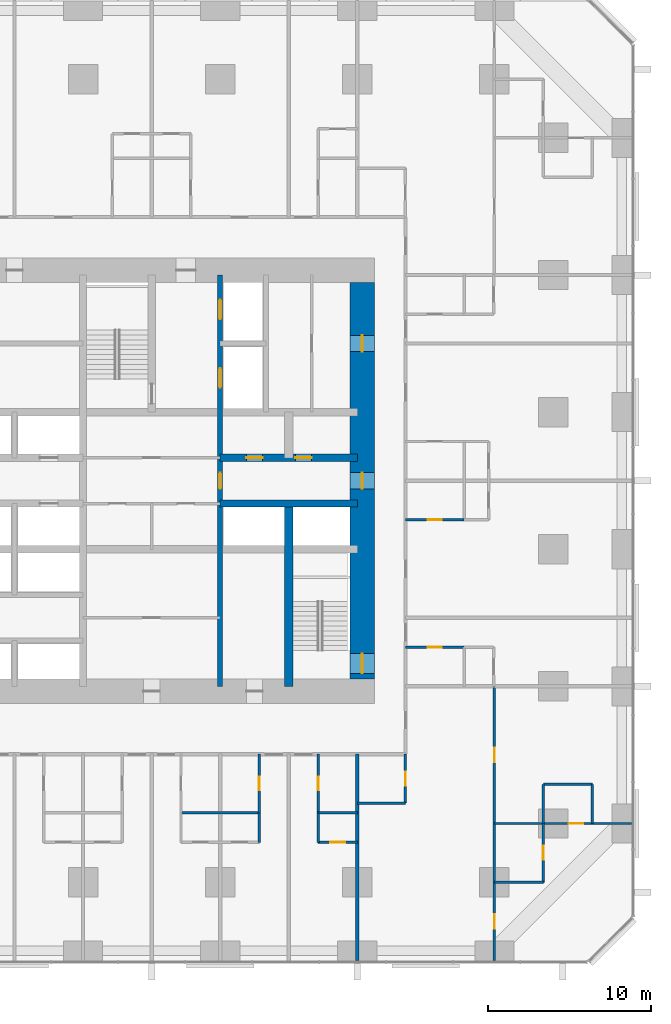
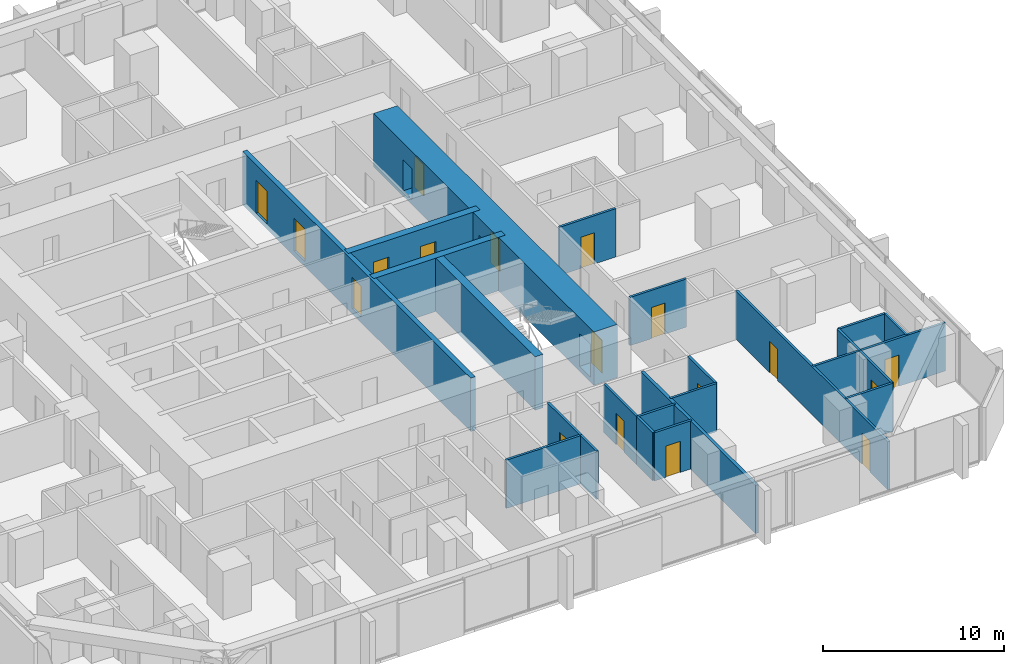
# One storey, part 13 of 17: 24 walls, 18 doors, 18 openings.
"""IFC4 building model written with IfcOpenShell, lengths in metres."""

from ifc_helpers import new_model, si_unit, direction, frame, frame_2d, origin, place, context, subcontext, project, spatial, rectangle, extrude, material, layer, layer_set, type_object, element, fill, save


model = new_model("IFC4")

# Units and contexts
model_context = context("Model", 3, precision=1e-05, world=origin(), true_north=direction((0.0, 1.0)))
body_context = subcontext(model_context, "Body", "Model", "MODEL_VIEW")
ifc_project = project(units=[si_unit("LENGTHUNIT", "METRE"), si_unit("AREAUNIT", "SQUARE_METRE"), si_unit("VOLUMEUNIT", "CUBIC_METRE"), si_unit("PLANEANGLEUNIT", "RADIAN"), si_unit("MASSUNIT", "GRAM", prefix="KILO")], contexts=[model_context])

# Site, building, storey
site_placement = place(None, origin())
site = spatial("IfcSite", under=ifc_project, at=site_placement, CompositionType="ELEMENT")
building_placement = place(site_placement, origin())
building = spatial("IfcBuilding", under=site, at=building_placement, Name="Dunama Terrace Hotel", CompositionType="ELEMENT")
storey_placement = place(building_placement, frame((0.0, 0.0, 77.39990234375)))
storey = spatial("IfcBuildingStorey", under=building, at=storey_placement, Name="L19", CompositionType="ELEMENT", Elevation=77.39990234375)

# Wall, opening, door
ifc_material_1 = material(Name="Gypsum board partition", Category="masonry")
ifc_layer_1 = layer(ifc_material_1, 0.14990234375)
ifc_layer_set_1 = layer_set([ifc_layer_1], Name="Bathroom partition 150")
wall_type_1 = type_object("IfcWallType", Name="Bathroom partition 150", PredefinedType="PARTITIONING", material=ifc_layer_set_1)
wall_1_placement = place(storey_placement, frame((36.0, 9.050048828125, 0.0), z_axis=(0.0, 0.0, 1.0), x_axis=(0.0, 1.0, 0.0)))
wall_1 = element("IfcWall", 1, at=wall_1_placement, inside=storey, type_object=wall_type_1, Name="Bathroom partition 150 L19", PredefinedType="PARTITIONING", context=body_context, shape_type="SweptSolid", body=[
    extrude(rectangle(XDim=3.599853515625, YDim=0.14990234375, at=frame_2d((1.7998046875, 0.0))), origin(), (0.0, 0.0, 1.0), 3.25),
])
opening_1_placement = place(wall_1_placement, frame((1.375, 0.0, 0.0)))
opening_1 = element("IfcOpeningElement", 2, at=opening_1_placement, cuts=wall_1, Name="Opening L17-19-022", PredefinedType="OPENING", context=body_context, shape_type="SweptSolid", body=[
    extrude(rectangle(XDim=0.85009765625, YDim=2.10009765625, at=frame_2d((0.425048828125, 1.050048828125))), frame((0.0, 0.0849609375, 0.0), z_axis=(0.0, -1.0, 0.0), x_axis=(1.0, 0.0, 0.0)), (0.0, 0.0, 1.0), 0.169921875),
])
ifc_material_2 = material(Name="Timber door with steel frame", Category="steel")
door_type_1 = type_object("IfcDoorType", Name="Bathroom door 850", OperationType="SINGLE_SWING_LEFT", PredefinedType="DOOR", material=ifc_material_2)
door_1_placement = place(opening_1_placement, origin())
door_1 = element("IfcDoor", 3, at=door_1_placement, inside=storey, type_object=door_type_1, Name="Door to en-suite bathroom L17-19-022, type D2", OperationType="SINGLE_SWING_RIGHT", OverallHeight=2.10009765625, OverallWidth=0.85009765625, PredefinedType="DOOR", context=body_context, shape_type="SweptSolid", body=[
    extrude(rectangle(XDim=0.85009765625, YDim=2.10009765625, at=frame_2d((0.425048828125, 1.050048828125))), frame((0.0, 0.02490234375, 0.0), z_axis=(0.0, -1.0, 0.0), x_axis=(1.0, 0.0, 0.0)), (0.0, 0.0, 1.0), 0.050048828125),
])
fill(opening_1, door_1)

wall_2_placement = place(storey_placement, frame((39.60009765625, 9.050048828125, 0.0), z_axis=(0.0, 0.0, 1.0), x_axis=(0.0, 1.0, 0.0)))
wall_2 = element("IfcWall", 4, at=wall_2_placement, inside=storey, type_object=wall_type_1, Name="Bathroom partition 150 L19", PredefinedType="PARTITIONING", context=body_context, shape_type="SweptSolid", body=[
    extrude(rectangle(XDim=3.599853515625, YDim=0.14990234375, at=frame_2d((1.7998046875, 0.0))), origin(), (0.0, 0.0, 1.0), 3.25),
])
opening_2_placement = place(wall_2_placement, frame((1.375, 0.0, 0.0)))
opening_2 = element("IfcOpeningElement", 5, at=opening_2_placement, cuts=wall_2, Name="Opening L17-19-025", PredefinedType="OPENING", context=body_context, shape_type="SweptSolid", body=[
    extrude(rectangle(XDim=0.85009765625, YDim=2.10009765625, at=frame_2d((0.425048828125, 1.050048828125))), frame((0.0, 0.0849609375, 0.0), z_axis=(0.0, -1.0, 0.0), x_axis=(1.0, 0.0, 0.0)), (0.0, 0.0, 1.0), 0.169921875),
])
door_2_placement = place(opening_2_placement, frame((0.85009765625, 0.0, 0.0), z_axis=(0.0, 0.0, 1.0), x_axis=(-1.0, 0.0, 0.0)))
door_2 = element("IfcDoor", 6, at=door_2_placement, inside=storey, type_object=door_type_1, Name="Door to en-suite bathroom L17-19-025, type D2", OperationType="SINGLE_SWING_LEFT", OverallHeight=2.10009765625, OverallWidth=0.85009765625, PredefinedType="DOOR", context=body_context, shape_type="SweptSolid", body=[
    extrude(rectangle(XDim=0.85009765625, YDim=2.10009765625, at=frame_2d((0.425048828125, 1.050048828125))), frame((0.0, 0.025146484375, 0.0), z_axis=(0.0, -1.0, 0.0), x_axis=(1.0, 0.0, 0.0)), (0.0, 0.0, 1.0), 0.050048828125),
])
fill(opening_2, door_2)

wall_3_placement = place(storey_placement, frame((44.949951171875, 9.64990234375, 0.0), z_axis=(0.0, 0.0, 1.0), x_axis=(0.0, 1.0, 0.0)))
wall_3 = element("IfcWall", 7, at=wall_3_placement, inside=storey, type_object=wall_type_1, Name="Bathroom partition 150 L19", PredefinedType="PARTITIONING", context=body_context, shape_type="SweptSolid", body=[
    extrude(rectangle(XDim=3.0, YDim=0.14990234375, at=frame_2d((1.5, 0.0))), origin(), (0.0, 0.0, 1.0), 3.25),
])
opening_3_placement = place(wall_3_placement, frame((1.074951171875, 0.0, 0.0)))
opening_3 = element("IfcOpeningElement", 8, at=opening_3_placement, cuts=wall_3, Name="Opening L17-19-067", PredefinedType="OPENING", context=body_context, shape_type="SweptSolid", body=[
    extrude(rectangle(XDim=0.85009765625, YDim=2.10009765625, at=frame_2d((0.425048828125, 1.050048828125))), frame((0.0, 0.0849609375, 0.0), z_axis=(0.0, -1.0, 0.0), x_axis=(1.0, 0.0, 0.0)), (0.0, 0.0, 1.0), 0.169921875),
])
door_3_placement = place(opening_3_placement, origin())
door_3 = element("IfcDoor", 9, at=door_3_placement, inside=storey, type_object=door_type_1, Name="Door to powder room L17-19-067, type D2", OperationType="SINGLE_SWING_RIGHT", OverallHeight=2.10009765625, OverallWidth=0.85009765625, PredefinedType="DOOR", context=body_context, shape_type="SweptSolid", body=[
    extrude(rectangle(XDim=0.85009765625, YDim=2.10009765625, at=frame_2d((0.425048828125, 1.050048828125))), frame((0.0, 0.02490234375, 0.0), z_axis=(0.0, -1.0, 0.0), x_axis=(1.0, 0.0, 0.0)), (0.0, 0.0, 1.0), 0.050048828125),
])
fill(opening_3, door_3)

wall_4_placement = place(storey_placement, frame((53.39990234375, 4.800048828125, 0.0), z_axis=(0.0, 0.0, 1.0), x_axis=(0.0, 1.0, 0.0)))
wall_4 = element("IfcWall", 10, at=wall_4_placement, inside=storey, type_object=wall_type_1, Name="Bathroom partition 150 L19", PredefinedType="PARTITIONING", context=body_context, shape_type="SweptSolid", body=[
    extrude(rectangle(XDim=3.599853515625, YDim=0.14990234375, at=frame_2d((1.7998046875, 0.0))), origin(), (0.0, 0.0, 1.0), 3.25),
])
opening_4_placement = place(wall_4_placement, frame((1.375, 0.0, 0.0)))
opening_4 = element("IfcOpeningElement", 11, at=opening_4_placement, cuts=wall_4, Name="Opening L17-19-069", PredefinedType="OPENING", context=body_context, shape_type="SweptSolid", body=[
    extrude(rectangle(XDim=0.85009765625, YDim=2.10009765625, at=frame_2d((0.425048828125, 1.050048828125))), frame((0.0, 0.0849609375, 0.0), z_axis=(0.0, -1.0, 0.0), x_axis=(1.0, 0.0, 0.0)), (0.0, 0.0, 1.0), 0.169921875),
])
door_4_placement = place(opening_4_placement, origin())
door_4 = element("IfcDoor", 12, at=door_4_placement, inside=storey, type_object=door_type_1, Name="Door to en-suite bathroom L17-19-069, type D2", OperationType="SINGLE_SWING_RIGHT", OverallHeight=2.10009765625, OverallWidth=0.85009765625, PredefinedType="DOOR", context=body_context, shape_type="SweptSolid", body=[
    extrude(rectangle(XDim=0.85009765625, YDim=2.10009765625, at=frame_2d((0.425048828125, 1.050048828125))), frame((0.0, 0.02490234375, 0.0), z_axis=(0.0, -1.0, 0.0), x_axis=(1.0, 0.0, 0.0)), (0.0, 0.0, 1.0), 0.050048828125),
])
fill(opening_4, door_4)

# Walls
wall_5_placement = place(storey_placement, frame((50.39990234375, 4.800048828125, 0.0), z_axis=(0.0, 0.0, 1.0), x_axis=(1.0, 0.0, 0.0)))
element("IfcWall", 13, at=wall_5_placement, inside=storey, type_object=wall_type_1, Name="Bathroom partition 150 L19", PredefinedType="PARTITIONING", context=body_context, shape_type="SweptSolid", body=[
    extrude(rectangle(XDim=3.0, YDim=0.14990234375, at=frame_2d((1.5, 0.0))), origin(), (0.0, 0.0, 1.0), 3.25),
])
wall_6_placement = place(storey_placement, frame((42.0, 9.64990234375, 0.0), z_axis=(0.0, 0.0, 1.0), x_axis=(1.0, 0.0, 0.0)))
element("IfcWall", 14, at=wall_6_placement, inside=storey, type_object=wall_type_1, Name="Bathroom partition 150 L19", PredefinedType="PARTITIONING", context=body_context, shape_type="SweptSolid", body=[
    extrude(rectangle(XDim=2.949951171875, YDim=0.14990234375, at=frame_2d((1.47509765625, 0.0))), origin(), (0.0, 0.0, 1.0), 3.25),
])

# Wall, opening, door
wall_7_placement = place(storey_placement, frame((44.949951171875, 19.199951171875, 0.0), z_axis=(0.0, 0.0, 1.0), x_axis=(1.0, 0.0, 0.0)))
wall_7 = element("IfcWall", 15, at=wall_7_placement, inside=storey, type_object=wall_type_1, Name="Bathroom partition 150 L19", PredefinedType="PARTITIONING", context=body_context, shape_type="SweptSolid", body=[
    extrude(rectangle(XDim=3.60009765625, YDim=0.14990234375, at=frame_2d((1.800048828125, 0.0))), origin(), (0.0, 0.0, 1.0), 3.25),
])
opening_5_placement = place(wall_7_placement, frame((1.375, 0.0, 0.0)))
opening_5 = element("IfcOpeningElement", 16, at=opening_5_placement, cuts=wall_7, Name="Opening L17-19-028", PredefinedType="OPENING", context=body_context, shape_type="SweptSolid", body=[
    extrude(rectangle(XDim=0.85009765625, YDim=2.10009765625, at=frame_2d((0.425048828125, 1.050048828125))), frame((0.0, 0.0849609375, 0.0), z_axis=(0.0, -1.0, 0.0), x_axis=(1.0, 0.0, 0.0)), (0.0, 0.0, 1.0), 0.169921875),
])
door_5_placement = place(opening_5_placement, frame((0.85009765625, 0.0, 0.0), z_axis=(0.0, 0.0, 1.0), x_axis=(-1.0, 0.0, 0.0)))
door_5 = element("IfcDoor", 17, at=door_5_placement, inside=storey, type_object=door_type_1, Name="Door to en-suite bathroom L17-19-028, type D2", OperationType="SINGLE_SWING_RIGHT", OverallHeight=2.10009765625, OverallWidth=0.85009765625, PredefinedType="DOOR", context=body_context, shape_type="SweptSolid", body=[
    extrude(rectangle(XDim=0.85009765625, YDim=2.10009765625, at=frame_2d((0.425048828125, 1.050048828125))), frame((0.0, 0.025146484375, 0.0), z_axis=(0.0, -1.0, 0.0), x_axis=(1.0, 0.0, 0.0)), (0.0, 0.0, 1.0), 0.050048828125),
])
fill(opening_5, door_5)

wall_8_placement = place(storey_placement, frame((44.949951171875, 27.0, 0.0), z_axis=(0.0, 0.0, 1.0), x_axis=(1.0, 0.0, 0.0)))
wall_8 = element("IfcWall", 18, at=wall_8_placement, inside=storey, type_object=wall_type_1, Name="Bathroom partition 150 L19", PredefinedType="PARTITIONING", context=body_context, shape_type="SweptSolid", body=[
    extrude(rectangle(XDim=3.60009765625, YDim=0.14990234375, at=frame_2d((1.800048828125, 0.0))), origin(), (0.0, 0.0, 1.0), 3.25),
])
opening_6_placement = place(wall_8_placement, frame((1.375, 0.0, 0.0)))
opening_6 = element("IfcOpeningElement", 19, at=opening_6_placement, cuts=wall_8, Name="Opening L17-19-031", PredefinedType="OPENING", context=body_context, shape_type="SweptSolid", body=[
    extrude(rectangle(XDim=0.85009765625, YDim=2.10009765625, at=frame_2d((0.425048828125, 1.050048828125))), frame((0.0, 0.0849609375, 0.0), z_axis=(0.0, -1.0, 0.0), x_axis=(1.0, 0.0, 0.0)), (0.0, 0.0, 1.0), 0.169921875),
])
door_6_placement = place(opening_6_placement, origin())
door_6 = element("IfcDoor", 20, at=door_6_placement, inside=storey, type_object=door_type_1, Name="Door to en-suite bathroom L17-19-031, type D2", OperationType="SINGLE_SWING_LEFT", OverallHeight=2.10009765625, OverallWidth=0.85009765625, PredefinedType="DOOR", context=body_context, shape_type="SweptSolid", body=[
    extrude(rectangle(XDim=0.85009765625, YDim=2.10009765625, at=frame_2d((0.425048828125, 1.050048828125))), frame((0.0, 0.02490234375, 0.0), z_axis=(0.0, -1.0, 0.0), x_axis=(1.0, 0.0, 0.0)), (0.0, 0.0, 1.0), 0.050048828125),
])
fill(opening_6, door_6)

# Wall, openings, doors
ifc_material_3 = material(Name="Concrete C50/60", Category="concrete")
ifc_layer_2 = layer(ifc_material_3, 0.300048828125)
ifc_layer_set_2 = layer_set([ifc_layer_2], Name="Core inner wall 300")
wall_type_2 = type_object("IfcWallType", Name="Core inner wall 300", PredefinedType="SHEAR", material=ifc_layer_set_2)
wall_9_placement = place(storey_placement, frame((33.60009765625, 16.800048828125, -0.349853515625), z_axis=(0.0, 0.0, 1.0), x_axis=(0.0, 1.0, 0.0)))
wall_9 = element("IfcWall", 21, at=wall_9_placement, inside=storey, type_object=wall_type_2, Name="Core inner wall 300 L19", PredefinedType="SHEAR", context=body_context, shape_type="SweptSolid", body=[
    extrude(rectangle(XDim=25.199951171875, YDim=0.300048828125, at=frame_2d((12.60009765625, 0.0))), origin(), (0.0, 0.0, 1.0), 3.599853515625),
])
opening_7_placement = place(wall_9_placement, frame((22.5, 0.0, 0.35009765625)))
opening_7 = element("IfcOpeningElement", 22, at=opening_7_placement, cuts=wall_9, Name="Opening L17-19-007", PredefinedType="OPENING", context=body_context, shape_type="SweptSolid", body=[
    extrude(rectangle(XDim=1.199951171875, YDim=2.199951171875, at=frame_2d((0.60009765625, 1.10009765625))), frame((0.0, 0.159912109375, 0.0), z_axis=(0.0, -1.0, 0.0), x_axis=(1.0, 0.0, 0.0)), (0.0, 0.0, 1.0), 0.320068359375),
])
opening_8_placement = place(wall_9_placement, frame((18.300048828125, 0.0, 0.35009765625)))
opening_8 = element("IfcOpeningElement", 23, at=opening_8_placement, cuts=wall_9, Name="Opening L17-19-008", PredefinedType="OPENING", context=body_context, shape_type="SweptSolid", body=[
    extrude(rectangle(XDim=1.199951171875, YDim=2.199951171875, at=frame_2d((0.60009765625, 1.10009765625))), frame((0.0, 0.159912109375, 0.0), z_axis=(0.0, -1.0, 0.0), x_axis=(1.0, 0.0, 0.0)), (0.0, 0.0, 1.0), 0.320068359375),
])
opening_9_placement = place(wall_9_placement, frame((12.10009765625, 0.0, 0.35009765625)))
opening_9 = element("IfcOpeningElement", 24, at=opening_9_placement, cuts=wall_9, Name="Opening L17-19-088", PredefinedType="OPENING", context=body_context, shape_type="SweptSolid", body=[
    extrude(rectangle(XDim=1.0, YDim=2.10009765625, at=frame_2d((0.5, 1.050048828125))), frame((0.0, 0.159912109375, 0.0), z_axis=(0.0, -1.0, 0.0), x_axis=(1.0, 0.0, 0.0)), (0.0, 0.0, 1.0), 0.320068359375),
])
ifc_material_4 = material(Name="Stainless steel lift door", Category="steel")
door_type_2 = type_object("IfcDoorType", Name="Firefighting lift landing door 1200", OperationType="DOUBLE_DOOR_SLIDING", PredefinedType="DOOR", material=ifc_material_4)
door_7_placement = place(opening_7_placement, origin())
door_7 = element("IfcDoor", 25, at=door_7_placement, inside=storey, type_object=door_type_2, Name="Landing door FL1 L17-19-007, type LD2", OperationType="DOUBLE_DOOR_SLIDING", OverallHeight=2.199951171875, OverallWidth=1.199951171875, PredefinedType="DOOR", context=body_context, shape_type="SweptSolid", body=[
    extrude(rectangle(XDim=1.199951171875, YDim=2.199951171875, at=frame_2d((0.60009765625, 1.10009765625))), frame((0.0, 0.02490234375, 0.0), z_axis=(0.0, -1.0, 0.0), x_axis=(1.0, 0.0, 0.0)), (0.0, 0.0, 1.0), 0.050048828125),
])
fill(opening_7, door_7)
door_8_placement = place(opening_8_placement, origin())
door_8 = element("IfcDoor", 26, at=door_8_placement, inside=storey, type_object=door_type_2, Name="Landing door FL2 L17-19-008, type LD2", OperationType="DOUBLE_DOOR_SLIDING", OverallHeight=2.199951171875, OverallWidth=1.199951171875, PredefinedType="DOOR", context=body_context, shape_type="SweptSolid", body=[
    extrude(rectangle(XDim=1.199951171875, YDim=2.199951171875, at=frame_2d((0.60009765625, 1.10009765625))), frame((0.0, 0.02490234375, 0.0), z_axis=(0.0, -1.0, 0.0), x_axis=(1.0, 0.0, 0.0)), (0.0, 0.0, 1.0), 0.050048828125),
])
fill(opening_8, door_8)
ifc_material_5 = material(Name="Timber door with steel frame", Category="steel")
door_type_3 = type_object("IfcDoorType", Name="Service door 1000", OperationType="SINGLE_SWING_LEFT", PredefinedType="DOOR", material=ifc_material_5)
door_9_placement = place(opening_9_placement, origin())
door_9 = element("IfcDoor", 27, at=door_9_placement, inside=storey, type_object=door_type_3, Name="Door to staff passage L17-19-088, type D7", OperationType="SINGLE_SWING_LEFT", OverallHeight=2.10009765625, OverallWidth=1.0, PredefinedType="DOOR", context=body_context, shape_type="SweptSolid", body=[
    extrude(rectangle(XDim=1.0, YDim=2.10009765625, at=frame_2d((0.5, 1.050048828125))), frame((0.0, 0.02490234375, 0.0), z_axis=(0.0, -1.0, 0.0), x_axis=(1.0, 0.0, 0.0)), (0.0, 0.0, 1.0), 0.050048828125),
])
fill(opening_9, door_9)

# Wall
ifc_material_6 = material(Name="Concrete C50/60", Category="concrete")
ifc_layer_3 = layer(ifc_material_6, 0.449951171875)
ifc_layer_set_3 = layer_set([ifc_layer_3], Name="Core inner wall 450")
wall_type_3 = type_object("IfcWallType", Name="Core inner wall 450", PredefinedType="SHEAR", material=ifc_layer_set_3)
wall_10_placement = place(storey_placement, frame((33.60009765625, 28.0, -0.349853515625), z_axis=(0.0, 0.0, 1.0), x_axis=(1.0, 0.0, 0.0)))
element("IfcWall", 28, at=wall_10_placement, inside=storey, type_object=wall_type_3, Name="Core inner wall 450 L19", PredefinedType="SHEAR", context=body_context, shape_type="SweptSolid", body=[
    extrude(rectangle(XDim=8.39990234375, YDim=0.449951171875, at=frame_2d((4.199951171875, 0.0))), origin(), (0.0, 0.0, 1.0), 3.599853515625),
])

# Wall, openings, doors
wall_11_placement = place(storey_placement, frame((33.60009765625, 30.800048828125, -0.349853515625), z_axis=(0.0, 0.0, 1.0), x_axis=(1.0, 0.0, 0.0)))
wall_11 = element("IfcWall", 29, at=wall_11_placement, inside=storey, type_object=wall_type_3, Name="Core inner wall 450 L19", PredefinedType="SHEAR", context=body_context, shape_type="SweptSolid", body=[
    extrude(rectangle(XDim=8.39990234375, YDim=0.449951171875, at=frame_2d((4.199951171875, 0.0))), origin(), (0.0, 0.0, 1.0), 3.599853515625),
])
opening_10_placement = place(wall_11_placement, frame((1.60009765625, 0.0, 0.35009765625)))
opening_10 = element("IfcOpeningElement", 30, at=opening_10_placement, cuts=wall_11, Name="Opening L17-19-092", PredefinedType="OPENING", context=body_context, shape_type="SweptSolid", body=[
    extrude(rectangle(XDim=1.0, YDim=2.10009765625, at=frame_2d((0.5, 1.050048828125))), frame((0.0, 0.23486328125, 0.0), z_axis=(0.0, -1.0, 0.0), x_axis=(1.0, 0.0, 0.0)), (0.0, 0.0, 1.0), 0.469970703125),
])
opening_11_placement = place(wall_11_placement, frame((4.60009765625, 0.0, 0.35009765625)))
opening_11 = element("IfcOpeningElement", 31, at=opening_11_placement, cuts=wall_11, Name="Opening L17-19-093", PredefinedType="OPENING", context=body_context, shape_type="SweptSolid", body=[
    extrude(rectangle(XDim=1.0, YDim=2.10009765625, at=frame_2d((0.5, 1.050048828125))), frame((0.0, 0.23486328125, 0.0), z_axis=(0.0, -1.0, 0.0), x_axis=(1.0, 0.0, 0.0)), (0.0, 0.0, 1.0), 0.469970703125),
])
door_10_placement = place(opening_10_placement, origin())
door_10 = element("IfcDoor", 32, at=door_10_placement, inside=storey, type_object=door_type_3, Name="Door to service riser L17-19-092, type D7", OperationType="SINGLE_SWING_RIGHT", OverallHeight=2.10009765625, OverallWidth=1.0, PredefinedType="DOOR", context=body_context, shape_type="SweptSolid", body=[
    extrude(rectangle(XDim=1.0, YDim=2.10009765625, at=frame_2d((0.5, 1.050048828125))), frame((0.0, 0.02490234375, 0.0), z_axis=(0.0, -1.0, 0.0), x_axis=(1.0, 0.0, 0.0)), (0.0, 0.0, 1.0), 0.050048828125),
])
fill(opening_10, door_10)
door_11_placement = place(opening_11_placement, origin())
door_11 = element("IfcDoor", 33, at=door_11_placement, inside=storey, type_object=door_type_3, Name="Door to cleaners store L17-19-093, type D7", OperationType="SINGLE_SWING_LEFT", OverallHeight=2.10009765625, OverallWidth=1.0, PredefinedType="DOOR", context=body_context, shape_type="SweptSolid", body=[
    extrude(rectangle(XDim=1.0, YDim=2.10009765625, at=frame_2d((0.5, 1.050048828125))), frame((0.0, 0.02490234375, 0.0), z_axis=(0.0, -1.0, 0.0), x_axis=(1.0, 0.0, 0.0)), (0.0, 0.0, 1.0), 0.050048828125),
])
fill(opening_11, door_11)

# Wall
ifc_material_7 = material(Name="Concrete C50/60", Category="concrete")
ifc_layer_4 = layer(ifc_material_7, 0.5)
ifc_layer_set_4 = layer_set([ifc_layer_4], Name="Core inner wall 500")
wall_type_4 = type_object("IfcWallType", Name="Core inner wall 500", PredefinedType="SHEAR", material=ifc_layer_set_4)
wall_12_placement = place(storey_placement, frame((37.800048828125, 16.800048828125, -0.349853515625), z_axis=(0.0, 0.0, 1.0), x_axis=(0.0, 1.0, 0.0)))
element("IfcWall", 34, at=wall_12_placement, inside=storey, type_object=wall_type_4, Name="Core inner wall 500 L19", PredefinedType="SHEAR", context=body_context, shape_type="SweptSolid", body=[
    extrude(rectangle(XDim=11.199951171875, YDim=0.5, at=frame_2d((5.60009765625, 0.0))), origin(), (0.0, 0.0, 1.0), 3.599853515625),
])

# Wall, openings, doors
ifc_material_8 = material(Name="Concrete C60/75", Category="concrete")
ifc_layer_5 = layer(ifc_material_8, 1.5)
ifc_layer_set_5 = layer_set([ifc_layer_5], Name="Core wall 1500")
wall_type_5 = type_object("IfcWallType", Name="Core wall 1500", PredefinedType="SHEAR", material=ifc_layer_set_5)
wall_13_placement = place(storey_placement, frame((42.300048828125, 17.25, -0.349853515625), z_axis=(0.0, 0.0, 1.0), x_axis=(0.0, 1.0, 0.0)))
wall_13 = element("IfcWall", 35, at=wall_13_placement, inside=storey, type_object=wall_type_5, Name="Core wall east L19", PredefinedType="SHEAR", context=body_context, shape_type="SweptSolid", body=[
    extrude(rectangle(XDim=24.300048828125, YDim=1.5, at=frame_2d((12.14990234375, 0.0))), origin(), (0.0, 0.0, 1.0), 3.599853515625),
])
opening_12_placement = place(wall_13_placement, frame((0.35009765625, 0.0, 0.35009765625)))
opening_12 = element("IfcOpeningElement", 36, at=opening_12_placement, cuts=wall_13, Name="Opening L17-19-002", PredefinedType="OPENING", context=body_context, shape_type="SweptSolid", body=[
    extrude(rectangle(XDim=1.199951171875, YDim=2.199951171875, at=frame_2d((0.60009765625, 1.10009765625))), frame((0.0, 0.760009765625, 0.0), z_axis=(0.0, -1.0, 0.0), x_axis=(1.0, 0.0, 0.0)), (0.0, 0.0, 1.0), 1.52001953125),
])
opening_13_placement = place(wall_13_placement, frame((11.64990234375, 0.0, 0.35009765625)))
opening_13 = element("IfcOpeningElement", 37, at=opening_13_placement, cuts=wall_13, Name="Opening L17-19-094", PredefinedType="OPENING", context=body_context, shape_type="SweptSolid", body=[
    extrude(rectangle(XDim=1.0, YDim=2.10009765625, at=frame_2d((0.5, 1.050048828125))), frame((0.0, 0.760009765625, 0.0), z_axis=(0.0, -1.0, 0.0), x_axis=(1.0, 0.0, 0.0)), (0.0, 0.0, 1.0), 1.52001953125),
])
opening_14_placement = place(wall_13_placement, frame((20.050048828125, 0.0, 0.35009765625)))
opening_14 = element("IfcOpeningElement", 38, at=opening_14_placement, cuts=wall_13, Name="Opening L17-19-096", PredefinedType="OPENING", context=body_context, shape_type="SweptSolid", body=[
    extrude(rectangle(XDim=1.0, YDim=2.10009765625, at=frame_2d((0.5, 1.050048828125))), frame((0.0, 0.760009765625, 0.0), z_axis=(0.0, -1.0, 0.0), x_axis=(1.0, 0.0, 0.0)), (0.0, 0.0, 1.0), 1.52001953125),
])
door_12_placement = place(opening_13_placement, origin())
door_12 = element("IfcDoor", 39, at=door_12_placement, inside=storey, type_object=door_type_3, Name="Door to service lobby L17-19-094, type D7", OperationType="SINGLE_SWING_LEFT", OverallHeight=2.10009765625, OverallWidth=1.0, PredefinedType="DOOR", context=body_context, shape_type="SweptSolid", body=[
    extrude(rectangle(XDim=1.0, YDim=2.10009765625, at=frame_2d((0.5, 1.050048828125))), frame((0.0, 0.02490234375, 0.0), z_axis=(0.0, -1.0, 0.0), x_axis=(1.0, 0.0, 0.0)), (0.0, 0.0, 1.0), 0.050048828125),
])
fill(opening_13, door_12)
door_13_placement = place(opening_14_placement, origin())
door_13 = element("IfcDoor", 40, at=door_13_placement, inside=storey, type_object=door_type_3, Name="Door to housekeeping store L17-19-096, type D7", OperationType="SINGLE_SWING_LEFT", OverallHeight=2.10009765625, OverallWidth=1.0, PredefinedType="DOOR", context=body_context, shape_type="SweptSolid", body=[
    extrude(rectangle(XDim=1.0, YDim=2.10009765625, at=frame_2d((0.5, 1.050048828125))), frame((0.0, 0.02490234375, 0.0), z_axis=(0.0, -1.0, 0.0), x_axis=(1.0, 0.0, 0.0)), (0.0, 0.0, 1.0), 0.050048828125),
])
fill(opening_14, door_13)
ifc_material_9 = material(Name="Timber door with steel frame", Category="steel")
door_type_4 = type_object("IfcDoorType", Name="Stair door 1200", OperationType="SINGLE_SWING_LEFT", PredefinedType="DOOR", material=ifc_material_9)
door_14_placement = place(opening_12_placement, origin())
door_14 = element("IfcDoor", 41, at=door_14_placement, inside=storey, type_object=door_type_4, Name="Stair door ST2 L17-19-002, type D5", OperationType="SINGLE_SWING_LEFT", OverallHeight=2.199951171875, OverallWidth=1.199951171875, PredefinedType="DOOR", context=body_context, shape_type="SweptSolid", body=[
    extrude(rectangle(XDim=1.199951171875, YDim=2.199951171875, at=frame_2d((0.60009765625, 1.10009765625))), frame((0.0, 0.02490234375, 0.0), z_axis=(0.0, -1.0, 0.0), x_axis=(1.0, 0.0, 0.0)), (0.0, 0.0, 1.0), 0.050048828125),
])
fill(opening_12, door_14)

# Walls
ifc_material_10 = material(Name="Concrete blockwork", Category="masonry")
ifc_layer_6 = layer(ifc_material_10, 0.199951171875)
ifc_layer_set_6 = layer_set([ifc_layer_6], Name="Party wall 200")
wall_type_6 = type_object("IfcWallType", Name="Party wall 200", PredefinedType="PARTITIONING", material=ifc_layer_set_6)
wall_14_placement = place(storey_placement, frame((42.0, -0.008056640625, 0.0), z_axis=(0.0, 0.0, 1.0), x_axis=(0.0, 1.0, 0.0)))
element("IfcWall", 42, at=wall_14_placement, inside=storey, type_object=wall_type_6, Name="Party wall 200 L19", PredefinedType="PARTITIONING", context=body_context, shape_type="SweptSolid", body=[
    extrude(rectangle(XDim=12.657958984375, YDim=0.199951171875, at=frame_2d((6.3291015625, 0.0))), origin(), (0.0, 0.0, 1.0), 3.25),
])
ifc_material_11 = material(Name="Gypsum board partition", Category="masonry")
ifc_layer_7 = layer(ifc_material_11, 0.14990234375)
ifc_layer_set_7 = layer_set([ifc_layer_7], Name="Room partition 150")
wall_type_7 = type_object("IfcWallType", Name="Room partition 150", PredefinedType="PARTITIONING", material=ifc_layer_set_7)
for number, where, z_axis, x_axis, name in (
    (43, (36.0, 7.25, 0.0), (0.0, 0.0, 1.0), (0.0, 1.0, 0.0), "Room partition 150 L19"),
    (44, (39.60009765625, 7.25, 0.0), (0.0, 0.0, 1.0), (0.0, 1.0, 0.0), "Room partition 150 L19"),
):
    element("IfcWall", number, at=place(storey_placement, frame(where, z_axis=z_axis, x_axis=x_axis)), inside=storey, type_object=wall_type_7, Name=name, PredefinedType="PARTITIONING", context=body_context, shape_type="SweptSolid", body=[
        extrude(rectangle(XDim=1.800048828125, YDim=0.14990234375, at=frame_2d((0.89990234375, 0.0))), origin(), (0.0, 0.0, 1.0), 3.25),
    ])

# Wall, openings, doors
wall_15_placement = place(storey_placement, frame((50.39990234375, -0.008056640625, 0.0), z_axis=(0.0, 0.0, 1.0), x_axis=(0.0, 1.0, 0.0)))
wall_15 = element("IfcWall", 45, at=wall_15_placement, inside=storey, type_object=wall_type_7, Name="Room partition 150 L19", PredefinedType="PARTITIONING", context=body_context, shape_type="SweptSolid", body=[
    extrude(rectangle(XDim=16.80810546875, YDim=0.14990234375, at=frame_2d((8.404052734375, 0.0))), origin(), (0.0, 0.0, 1.0), 3.25),
])
opening_15_placement = place(wall_15_placement, frame((1.9580078125, 0.0, 0.0)))
opening_15 = element("IfcOpeningElement", 46, at=opening_15_placement, cuts=wall_15, Name="Opening L17-19-068", PredefinedType="OPENING", context=body_context, shape_type="SweptSolid", body=[
    extrude(rectangle(XDim=0.89990234375, YDim=2.10009765625, at=frame_2d((0.449951171875, 1.050048828125))), frame((0.0, 0.0849609375, 0.0), z_axis=(0.0, -1.0, 0.0), x_axis=(1.0, 0.0, 0.0)), (0.0, 0.0, 1.0), 0.169921875),
])
opening_16_placement = place(wall_15_placement, frame((12.157958984375, 0.0, 0.0)))
opening_16 = element("IfcOpeningElement", 47, at=opening_16_placement, cuts=wall_15, Name="Opening L17-19-071", PredefinedType="OPENING", context=body_context, shape_type="SweptSolid", body=[
    extrude(rectangle(XDim=0.89990234375, YDim=2.10009765625, at=frame_2d((0.449951171875, 1.050048828125))), frame((0.0, 0.0849609375, 0.0), z_axis=(0.0, -1.0, 0.0), x_axis=(1.0, 0.0, 0.0)), (0.0, 0.0, 1.0), 0.169921875),
])
ifc_material_12 = material(Name="Timber door with steel frame", Category="steel")
door_type_5 = type_object("IfcDoorType", Name="Suite internal door 900", OperationType="SINGLE_SWING_LEFT", PredefinedType="DOOR", material=ifc_material_12)
door_15_placement = place(opening_15_placement, frame((0.89990234375, 0.0, 0.0), z_axis=(0.0, 0.0, 1.0), x_axis=(-1.0, 0.0, 0.0)))
door_15 = element("IfcDoor", 48, at=door_15_placement, inside=storey, type_object=door_type_5, Name="Door to corner suite bedroom L17-19-068, type D16", OperationType="SINGLE_SWING_RIGHT", OverallHeight=2.10009765625, OverallWidth=0.89990234375, PredefinedType="DOOR", context=body_context, shape_type="SweptSolid", body=[
    extrude(rectangle(XDim=0.89990234375, YDim=2.10009765625, at=frame_2d((0.449951171875, 1.050048828125))), frame((0.0, 0.025146484375, 0.0), z_axis=(0.0, -1.0, 0.0), x_axis=(1.0, 0.0, 0.0)), (0.0, 0.0, 1.0), 0.050048828125),
])
fill(opening_15, door_15)
door_16_placement = place(opening_16_placement, frame((0.89990234375, 0.0, 0.0), z_axis=(0.0, 0.0, 1.0), x_axis=(-1.0, 0.0, 0.0)))
door_16 = element("IfcDoor", 49, at=door_16_placement, inside=storey, type_object=door_type_5, Name="Door to corner suite study L17-19-071, type D16", OperationType="SINGLE_SWING_RIGHT", OverallHeight=2.10009765625, OverallWidth=0.89990234375, PredefinedType="DOOR", context=body_context, shape_type="SweptSolid", body=[
    extrude(rectangle(XDim=0.89990234375, YDim=2.10009765625, at=frame_2d((0.449951171875, 1.050048828125))), frame((0.0, 0.025146484375, 0.0), z_axis=(0.0, -1.0, 0.0), x_axis=(1.0, 0.0, 0.0)), (0.0, 0.0, 1.0), 0.050048828125),
])
fill(opening_16, door_16)

# Walls
for number, where, z_axis, x_axis, name in (
    (50, (53.39990234375, 8.39990234375, 0.0), (0.0, 0.0, 1.0), (0.0, 1.0, 0.0), "Room partition 150 L19"),
    (51, (56.39990234375, 8.39990234375, 0.0), (0.0, 0.0, 1.0), (0.0, 1.0, 0.0), "Room partition 150 L19"),
):
    element("IfcWall", number, at=place(storey_placement, frame(where, z_axis=z_axis, x_axis=x_axis)), inside=storey, type_object=wall_type_7, Name=name, PredefinedType="PARTITIONING", context=body_context, shape_type="SweptSolid", body=[
        extrude(rectangle(XDim=2.400146484375, YDim=0.14990234375, at=frame_2d((1.2001953125, 0.0))), origin(), (0.0, 0.0, 1.0), 3.25),
    ])

# Wall, opening, door
wall_16_placement = place(storey_placement, frame((39.60009765625, 7.25, 0.0), z_axis=(0.0, 0.0, 1.0), x_axis=(1.0, 0.0, 0.0)))
wall_16 = element("IfcWall", 52, at=wall_16_placement, inside=storey, type_object=wall_type_7, Name="Room partition 150 L19", PredefinedType="PARTITIONING", context=body_context, shape_type="SweptSolid", body=[
    extrude(rectangle(XDim=2.39990234375, YDim=0.14990234375, at=frame_2d((1.199951171875, 0.0))), origin(), (0.0, 0.0, 1.0), 3.25),
])
opening_17_placement = place(wall_16_placement, frame((0.75, 0.0, 0.0)))
opening_17 = element("IfcOpeningElement", 53, at=opening_17_placement, cuts=wall_16, Name="Opening L17-19-026", PredefinedType="OPENING", context=body_context, shape_type="SweptSolid", body=[
    extrude(rectangle(XDim=0.89990234375, YDim=2.10009765625, at=frame_2d((0.449951171875, 1.050048828125))), frame((0.0, 0.0849609375, 0.0), z_axis=(0.0, -1.0, 0.0), x_axis=(1.0, 0.0, 0.0)), (0.0, 0.0, 1.0), 0.169921875),
])
door_17_placement = place(opening_17_placement, origin())
door_17 = element("IfcDoor", 54, at=door_17_placement, inside=storey, type_object=door_type_5, Name="Door to walk-in wardrobe L17-19-026, type D16", OperationType="SINGLE_SWING_RIGHT", OverallHeight=2.10009765625, OverallWidth=0.89990234375, PredefinedType="DOOR", context=body_context, shape_type="SweptSolid", body=[
    extrude(rectangle(XDim=0.89990234375, YDim=2.10009765625, at=frame_2d((0.449951171875, 1.050048828125))), frame((0.0, 0.02490234375, 0.0), z_axis=(0.0, -1.0, 0.0), x_axis=(1.0, 0.0, 0.0)), (0.0, 0.0, 1.0), 0.050048828125),
])
fill(opening_17, door_17)

wall_17_placement = place(storey_placement, frame((50.39990234375, 8.39990234375, 0.0), z_axis=(0.0, 0.0, 1.0), x_axis=(1.0, 0.0, 0.0)))
wall_17 = element("IfcWall", 55, at=wall_17_placement, inside=storey, type_object=wall_type_7, Name="Room partition 150 L19", PredefinedType="PARTITIONING", context=body_context, shape_type="SweptSolid", body=[
    extrude(rectangle(XDim=8.408203125, YDim=0.14990234375, at=frame_2d((4.2041015625, 0.0))), origin(), (0.0, 0.0, 1.0), 3.25),
])
opening_18_placement = place(wall_17_placement, frame((4.550048828125, 0.0, 0.0)))
opening_18 = element("IfcOpeningElement", 56, at=opening_18_placement, cuts=wall_17, Name="Opening L17-19-070", PredefinedType="OPENING", context=body_context, shape_type="SweptSolid", body=[
    extrude(rectangle(XDim=0.89990234375, YDim=2.10009765625, at=frame_2d((0.449951171875, 1.050048828125))), frame((0.0, 0.0849609375, 0.0), z_axis=(0.0, -1.0, 0.0), x_axis=(1.0, 0.0, 0.0)), (0.0, 0.0, 1.0), 0.169921875),
])
door_18_placement = place(opening_18_placement, origin())
door_18 = element("IfcDoor", 57, at=door_18_placement, inside=storey, type_object=door_type_5, Name="Door to dressing room L17-19-070, type D16", OperationType="SINGLE_SWING_LEFT", OverallHeight=2.10009765625, OverallWidth=0.89990234375, PredefinedType="DOOR", context=body_context, shape_type="SweptSolid", body=[
    extrude(rectangle(XDim=0.89990234375, YDim=2.10009765625, at=frame_2d((0.449951171875, 1.050048828125))), frame((0.0, 0.02490234375, 0.0), z_axis=(0.0, -1.0, 0.0), x_axis=(1.0, 0.0, 0.0)), (0.0, 0.0, 1.0), 0.050048828125),
])
fill(opening_18, door_18)

# Walls
wall_18_placement = place(storey_placement, frame((31.199951171875, 9.050048828125, 0.0), z_axis=(0.0, 0.0, 1.0), x_axis=(1.0, 0.0, 0.0)))
element("IfcWall", 58, at=wall_18_placement, inside=storey, type_object=wall_type_7, Name="Room partition 150 L19", PredefinedType="PARTITIONING", context=body_context, shape_type="SweptSolid", body=[
    extrude(rectangle(XDim=4.800048828125, YDim=0.14990234375, at=frame_2d((2.39990234375, 0.0))), origin(), (0.0, 0.0, 1.0), 3.25),
])
wall_19_placement = place(storey_placement, frame((39.60009765625, 9.050048828125, 0.0), z_axis=(0.0, 0.0, 1.0), x_axis=(1.0, 0.0, 0.0)))
element("IfcWall", 59, at=wall_19_placement, inside=storey, type_object=wall_type_7, Name="Room partition 150 L19", PredefinedType="PARTITIONING", context=body_context, shape_type="SweptSolid", body=[
    extrude(rectangle(XDim=2.39990234375, YDim=0.14990234375, at=frame_2d((1.199951171875, 0.0))), origin(), (0.0, 0.0, 1.0), 3.25),
])
wall_20_placement = place(storey_placement, frame((53.39990234375, 10.800048828125, 0.0), z_axis=(0.0, 0.0, 1.0), x_axis=(1.0, 0.0, 0.0)))
element("IfcWall", 60, at=wall_20_placement, inside=storey, type_object=wall_type_7, Name="Room partition 150 L19", PredefinedType="PARTITIONING", context=body_context, shape_type="SweptSolid", body=[
    extrude(rectangle(XDim=3.0, YDim=0.14990234375, at=frame_2d((1.5, 0.0))), origin(), (0.0, 0.0, 1.0), 3.25),
])

save(model, "model.ifc")
